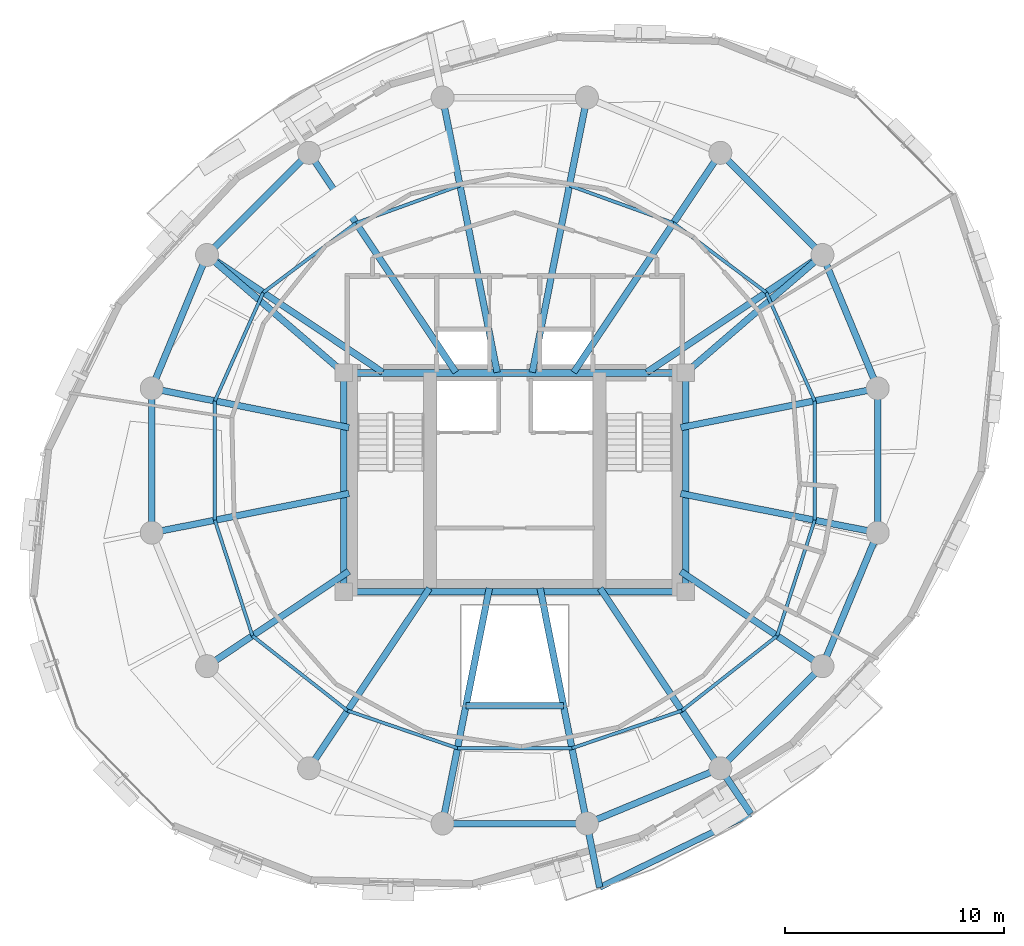
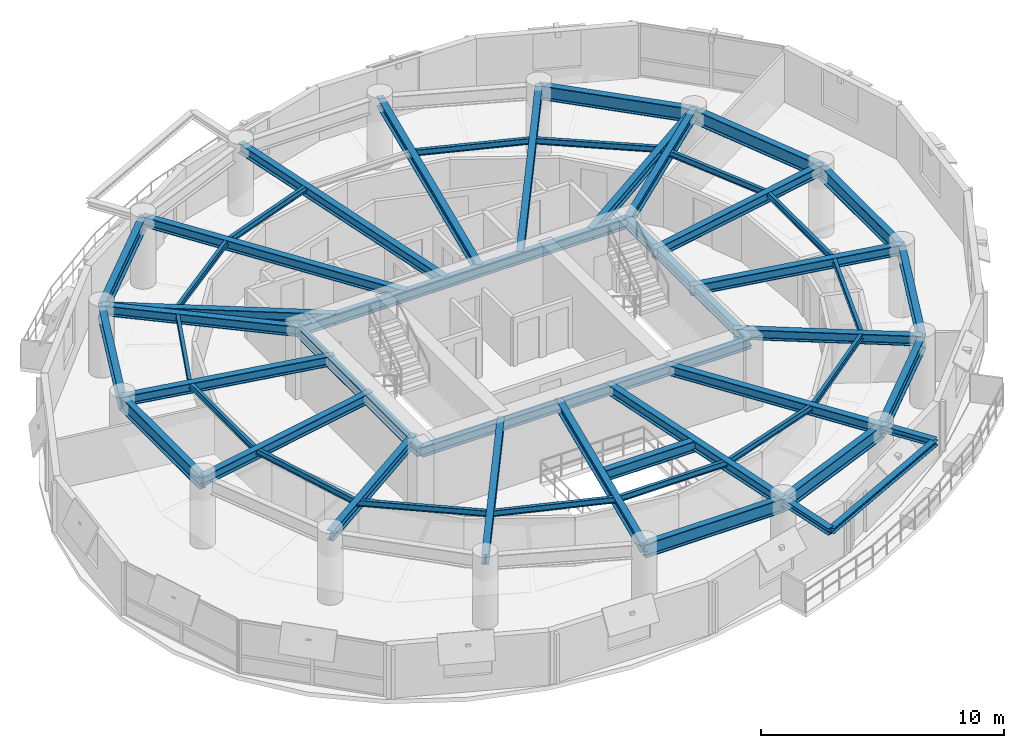
# One storey, part 5 of 15: 51 beams.
"""IFC4 building model written with IfcOpenShell, lengths in metres."""

import ifcopenshell
import ifcopenshell.guid

model = None  # the IFC model being written
_history = None  # IfcOwnerHistory: only IFC2X3 demands one
_inside = {}  # id of a spatial element -> (the spatial element, [elements in it])
_under = {}  # id of a project, library or spatial element -> (it, [spatial elements below it])
_declared = {}  # id of a project -> (the project, [libraries it declares])
_typed = {}  # id of a type object -> (the type object, [elements of that type])
_made_of = {}  # id of a material, layer set ... -> (it, [elements and type objects made of it])


def new_model(schema):
    """Start an empty IFC model of exactly this schema.

    Asked for "IFC4X3", IfcOpenShell would pick the latest addendum, in which some entities
    have other attributes; the version numbers below select the first issue.
    IFC2X3 requires an IfcOwnerHistory on every rooted entity: one is made here for all.
    """
    global model, _history
    if schema == "IFC4X3":
        model = ifcopenshell.file(schema_version=(4, 3, 0, 0))
    else:
        model = ifcopenshell.file(schema=schema)
    _inside.clear()
    _under.clear()
    _declared.clear()
    _typed.clear()
    _made_of.clear()
    _history = None
    if model.schema == "IFC2X3":
        org = make("IfcOrganization", Name="unknown")
        user = make(
            "IfcPersonAndOrganization",
            ThePerson=make("IfcPerson", FamilyName="unknown"),
            TheOrganization=org,
        )
        app = make(
            "IfcApplication",
            ApplicationDeveloper=org,
            Version="unknown",
            ApplicationFullName="unknown",
            ApplicationIdentifier="unknown",
        )
        _history = make(
            "IfcOwnerHistory",
            OwningUser=user,
            OwningApplication=app,
            ChangeAction="ADDED",
            CreationDate=0,
        )
    return model


def make(cls, **values):
    """One entity of the class cls with the attributes given. An attribute that is None is left unset."""
    return model.create_entity(
        cls, **{name: value for name, value in values.items() if value is not None}
    )


def rooted(cls, **values):
    """An entity with a GlobalId (a new one), such as an element, a storey or a relation."""
    return make(cls, GlobalId=ifcopenshell.guid.new(), OwnerHistory=_history, **values)


def si_unit(unit_type, name, prefix=None):
    """IfcSIUnit, for example si_unit("LENGTHUNIT", "METRE", prefix="MILLI")."""
    return make("IfcSIUnit", UnitType=unit_type, Prefix=prefix, Name=name)


def assignment(units):
    """IfcUnitAssignment: the units of a project."""
    return None if units is None else make("IfcUnitAssignment", Units=units)


def point(xyz):
    """IfcCartesianPoint."""
    return None if xyz is None else make("IfcCartesianPoint", Coordinates=xyz)


def direction(xyz):
    """IfcDirection."""
    return None if xyz is None else make("IfcDirection", DirectionRatios=xyz)


def frame(location, z_axis=None, x_axis=None):
    """IfcAxis2Placement3D, a coordinate frame: its origin and axes. An axis left out is left unset."""
    return make(
        "IfcAxis2Placement3D",
        Location=point(location),
        Axis=direction(z_axis),
        RefDirection=direction(x_axis),
    )


def frame_2d(location, x_axis=None):
    """IfcAxis2Placement2D, a coordinate frame in the plane: its origin and x axis."""
    return make(
        "IfcAxis2Placement2D", Location=point(location), RefDirection=direction(x_axis)
    )


def origin():
    """The frame at (0, 0, 0) with its axes left unset."""
    return frame((0.0, 0.0, 0.0))


def origin_2d():
    """The frame at (0, 0) in the plane with its x axis left unset."""
    return frame_2d((0.0, 0.0))


def place(relative_to, where):
    """IfcLocalPlacement: puts the frame where relative to a parent placement (None: the world)."""
    return make(
        "IfcLocalPlacement", PlacementRelTo=relative_to, RelativePlacement=where
    )


def context(
    kind, dimensions, precision=None, world=None, true_north=None, identifier=None
):
    """IfcGeometricRepresentationContext, for example the 3D "Model" context."""
    return make(
        "IfcGeometricRepresentationContext",
        ContextIdentifier=identifier,
        ContextType=kind,
        CoordinateSpaceDimension=dimensions,
        Precision=precision,
        WorldCoordinateSystem=world,
        TrueNorth=true_north,
    )


def subcontext(parent, identifier, kind, view, scale=None):
    """IfcGeometricRepresentationSubContext, for example "Body" below "Model"."""
    return make(
        "IfcGeometricRepresentationSubContext",
        ContextIdentifier=identifier,
        ContextType=kind,
        ParentContext=parent,
        TargetScale=scale,
        TargetView=view,
    )


def project(units=None, contexts=None):
    """IfcProject with its units and contexts."""
    return rooted(
        "IfcProject",
        Name="project",
        RepresentationContexts=contexts,
        UnitsInContext=assignment(units),
    )


def spatial(cls, under=None, at=None, **own):
    """A site, building, storey or space (cls), placed at a placement, below another one or the project."""
    s = rooted(cls, ObjectPlacement=at, **own)
    if under is not None:
        _under.setdefault(under.id(), (under, []))[1].append(s)
    return s


def profile(cls, at=None, kind="AREA", **sizes):
    """A parametric profile (cls). Its sizes go by their IFC names, for example OverallWidth=200.0."""
    return make(cls, ProfileType=kind, Position=at, **sizes)


def i_section(**sizes):
    """IfcIShapeProfileDef."""
    return profile("IfcIShapeProfileDef", **sizes)


def extrude(swept, where, along, depth):
    """IfcExtrudedAreaSolid: the profile swept, set in the frame where, extruded along a direction by depth."""
    return make(
        "IfcExtrudedAreaSolid",
        SweptArea=swept,
        Position=where,
        ExtrudedDirection=direction(along),
        Depth=depth,
    )


def shape(context_of_items, identifier, shape_type, items):
    """IfcShapeRepresentation: the items that make up one representation, for example the "Body"."""
    return make(
        "IfcShapeRepresentation",
        ContextOfItems=context_of_items,
        RepresentationIdentifier=identifier,
        RepresentationType=shape_type,
        Items=items,
    )


def material(Name=None, Category=None):
    """IfcMaterial."""
    return make("IfcMaterial", Name=Name, Category=Category)


def material_profile(
    of_material, cross_section, Name=None, Category=None, Priority=None
):
    """IfcMaterialProfile: a cross section and its material."""
    return make(
        "IfcMaterialProfile",
        Name=Name,
        Material=of_material,
        Profile=cross_section,
        Priority=Priority,
        Category=Category,
    )


def profile_set(profiles, Name=None, composite=None):
    """IfcMaterialProfileSet."""
    return make(
        "IfcMaterialProfileSet",
        Name=Name,
        MaterialProfiles=profiles,
        CompositeProfile=composite,
    )


def made_of(thing, what):
    """Note that an element or type object is made of a material, layer set ...; save() writes the relation."""
    if what is not None:
        _made_of.setdefault(what.id(), (what, []))[1].append(thing)
    return thing


def type_object(cls, material=None, **own):
    """A type object (cls), such as IfcWallType, which elements share."""
    return made_of(rooted(cls, **own), material)


def element(
    cls,
    number,
    at=None,
    inside=None,
    cuts=None,
    type_object=None,
    material=None,
    context=None,
    identifier="Body",
    shape_type=None,
    held_by="IfcProductDefinitionShape",
    body=None,
    shapes=None,
    **own,
):
    """One element of the class cls, such as IfcWall. Its Tag is "e" and its number.

    at: its placement. inside: the storey or other place that contains it. cuts: it is an
    opening in that element (IfcRelVoidsElement). A single representation is given by context,
    identifier, shape_type and body (its items); several are given by shapes. held_by: the class
    of the entity that holds the representations. save() writes the other relations.
    """
    e = rooted(cls, Tag="e%d" % number, ObjectPlacement=at, **own)
    if body is not None:
        shapes = [shape(context, identifier, shape_type, body)]
    if shapes is not None:
        e.Representation = make(held_by, Representations=shapes)
    if inside is not None:
        _inside.setdefault(inside.id(), (inside, []))[1].append(e)
    if cuts is not None:
        rooted(
            "IfcRelVoidsElement", RelatingBuildingElement=cuts, RelatedOpeningElement=e
        )
    if type_object is not None:
        _typed.setdefault(type_object.id(), (type_object, []))[1].append(e)
    return made_of(e, material)


def aggregate(whole, parts):
    """IfcRelAggregates: a whole, such as a stair, and the parts it consists of."""
    return rooted("IfcRelAggregates", RelatingObject=whole, RelatedObjects=parts)


def save(model, path):
    """Write the relations noted so far, then the file.

    IfcRelAggregates (storeys below a building ...), IfcRelContainedInSpatialStructure (elements
    in a storey), IfcRelDefinesByType, IfcRelAssociatesMaterial and IfcRelDeclares: one each for
    every whole, place, type object, material and project.
    """
    for whole, parts in _under.values():
        aggregate(whole, parts)
    for where, things in _inside.values():
        rooted(
            "IfcRelContainedInSpatialStructure",
            RelatedElements=things,
            RelatingStructure=where,
        )
    for kind, things in _typed.values():
        rooted("IfcRelDefinesByType", RelatedObjects=things, RelatingType=kind)
    for what, things in _made_of.values():
        rooted("IfcRelAssociatesMaterial", RelatedObjects=things, RelatingMaterial=what)
    for by, libraries in _declared.values():
        rooted("IfcRelDeclares", RelatingContext=by, RelatedDefinitions=libraries)
    model.write(path)


model = new_model("IFC4")

# Units and contexts
model_context = context("Model", 3, precision=1e-05, world=origin(), true_north=direction((0.0, 1.0)))
body_context = subcontext(model_context, "Body", "Model", "MODEL_VIEW")
ifc_project = project(units=[si_unit("LENGTHUNIT", "METRE"), si_unit("AREAUNIT", "SQUARE_METRE"), si_unit("VOLUMEUNIT", "CUBIC_METRE"), si_unit("PLANEANGLEUNIT", "RADIAN"), si_unit("MASSUNIT", "GRAM", prefix="KILO"), si_unit("THERMODYNAMICTEMPERATUREUNIT", "KELVIN"), si_unit("POWERUNIT", "WATT")], contexts=[model_context])

# Site, building, storey
site_placement = place(None, origin())
site = spatial("IfcSite", under=ifc_project, at=site_placement, CompositionType="ELEMENT")
building_placement = place(site_placement, origin())
building = spatial("IfcBuilding", under=site, at=building_placement, Name="Ocrelia Relay Tower", CompositionType="ELEMENT")
storey_placement = place(building_placement, frame((0.0, 0.0, 166.39990234375)))
storey = spatial("IfcBuildingStorey", under=building, at=storey_placement, Name="L39", CompositionType="ELEMENT", Elevation=166.39990234375)

# Beams
ifc_material = material(Name="Steel S355", Category="steel")
ifc_material_profile_1 = material_profile(ifc_material, i_section(OverallWidth=0.280029296875, OverallDepth=0.27001953125, WebThickness=0.008056640625, FlangeThickness=0.012939453125, FilletRadius=0.02392578125, at=origin_2d()), Name="HEA 280")
ifc_profile_set_1 = profile_set([ifc_material_profile_1], Name="Steel S355")
beam_type_1 = type_object("IfcBeamType", Name="BM-HEA280", PredefinedType="BEAM", material=ifc_profile_set_1)
beam_1_placement = place(storey_placement, frame((37.87744140625, 6.506591796875, 3.2451171875), z_axis=(0.89872350531, 0.438515747725, 0.0), x_axis=(-0.438515747725, 0.89872350531, 0.0)))
element("IfcBeam", 1, at=beam_1_placement, inside=storey, type_object=beam_type_1, Name="L40 Balcony Edge Trimmer Beam B2", PredefinedType="BEAM", context=body_context, shape_type="SweptSolid", body=[
    extrude(i_section(OverallWidth=0.280029296875, OverallDepth=0.27001953125, WebThickness=0.008056640625, FlangeThickness=0.012939453125, FilletRadius=0.02392578125, at=origin_2d()), origin(), (0.0, 0.0, 1.0), 7.67578125),
])
ifc_material_profile_2 = material_profile(ifc_material, i_section(OverallWidth=0.300048828125, OverallDepth=0.330078125, WebThickness=0.009521484375, FlangeThickness=0.0166015625, FilletRadius=0.027099609375, at=origin_2d()), Name="HEA 340")
ifc_profile_set_2 = profile_set([ifc_material_profile_2], Name="Steel S355")
beam_type_2 = type_object("IfcBeamType", Name="BM-HEA340", PredefinedType="BEAM", material=ifc_profile_set_2)
beam_2_placement = place(storey_placement, frame((37.297119140625, 9.4248046875, 3.215087890625), z_axis=(0.195043000341, -0.980794692083, 0.0), x_axis=(0.980794692083, 0.195043000341, 0.0)))
element("IfcBeam", 2, at=beam_2_placement, inside=storey, type_object=beam_type_2, Name="L40 Balcony Cantilever Beam B2-1", PredefinedType="BEAM", context=body_context, shape_type="SweptSolid", body=[
    extrude(i_section(OverallWidth=0.300048828125, OverallDepth=0.330078125, WebThickness=0.009521484375, FlangeThickness=0.0166015625, FilletRadius=0.027099609375, at=origin_2d()), origin(), (0.0, 0.0, 1.0), 2.975341796875),
])
beam_3_placement = place(storey_placement, frame((43.38916015625, 11.9482421875, 3.215087890625), z_axis=(0.555512436399, -0.831508227864, 0.0), x_axis=(0.831508227864, 0.555512436399, 0.0)))
element("IfcBeam", 3, at=beam_3_placement, inside=storey, type_object=beam_type_2, Name="L40 Balcony Cantilever Beam B2-2", PredefinedType="BEAM", context=body_context, shape_type="SweptSolid", body=[
    extrude(i_section(OverallWidth=0.300048828125, OverallDepth=0.330078125, WebThickness=0.009521484375, FlangeThickness=0.0166015625, FilletRadius=0.027099609375, at=origin_2d()), origin(), (0.0, 0.0, 1.0), 2.496337890625),
])
ifc_material_profile_3 = material_profile(ifc_material, i_section(OverallWidth=0.300048828125, OverallDepth=0.5, WebThickness=0.014404296875, FlangeThickness=0.028076171875, FilletRadius=0.027099609375, at=origin_2d()), Name="HEB 500")
ifc_profile_set_3 = profile_set([ifc_material_profile_3], Name="Steel S355")
beam_type_3 = type_object("IfcBeamType", Name="BM-HEB500", PredefinedType="BEAM", material=ifc_profile_set_3)
for number, where, z_axis, x_axis, name in (
    (4, (26.199951171875, 20.0, 3.130126953125), (1.0, 0.0, 0.0), (0.0, 1.0, 0.0), "L39 Core Pilaster Tie Beam S"),
    (5, (26.199951171875, 30.0, 3.130126953125), (1.0, 0.0, 0.0), (0.0, 1.0, 0.0), "L39 Core Pilaster Tie Beam N"),
):
    element("IfcBeam", number, at=place(storey_placement, frame(where, z_axis=z_axis, x_axis=x_axis)), inside=storey, type_object=beam_type_3, Name=name, PredefinedType="BEAM", context=body_context, shape_type="SweptSolid", body=[
        extrude(i_section(OverallWidth=0.300048828125, OverallDepth=0.5, WebThickness=0.014404296875, FlangeThickness=0.028076171875, FilletRadius=0.027099609375, at=origin_2d()), origin(), (0.0, 0.0, 1.0), 15.60009765625),
    ])
for number, where, z_axis, x_axis, name in (
    (6, (26.199951171875, 20.0, 3.130126953125), (0.0, 1.0, 0.0), (-1.0, 0.0, 0.0), "L39 Core Pilaster Tie Beam W"),
    (7, (41.800048828125, 20.0, 3.130126953125), (0.0, 1.0, 0.0), (-1.0, 0.0, 0.0), "L39 Core Pilaster Tie Beam E"),
):
    element("IfcBeam", number, at=place(storey_placement, frame(where, z_axis=z_axis, x_axis=x_axis)), inside=storey, type_object=beam_type_3, Name=name, PredefinedType="BEAM", context=body_context, shape_type="SweptSolid", body=[
        extrude(i_section(OverallWidth=0.300048828125, OverallDepth=0.5, WebThickness=0.014404296875, FlangeThickness=0.028076171875, FilletRadius=0.027099609375, at=origin_2d()), origin(), (0.0, 0.0, 1.0), 10.0),
    ])
beam_4_placement = place(storey_placement, frame((50.5751953125, 29.297119140625, 3.130126953125), z_axis=(-0.980783891197, -0.1950973059, 0.0), x_axis=(0.1950973059, -0.980783891197, 0.0)))
element("IfcBeam", 8, at=beam_4_placement, inside=storey, type_object=beam_type_3, Name="L39 Radial Floor Girder R01", PredefinedType="BEAM", context=body_context, shape_type="SweptSolid", body=[
    extrude(i_section(OverallWidth=0.300048828125, OverallDepth=0.5, WebThickness=0.014404296875, FlangeThickness=0.028076171875, FilletRadius=0.027099609375, at=origin_2d()), origin(), (0.0, 0.0, 1.0), 9.17138671875),
])
beam_5_placement = place(storey_placement, frame((48.0517578125, 35.38916015625, 3.130126953125), z_axis=(-0.831469666235, -0.555570152305, 0.0), x_axis=(0.555570152305, -0.831469666235, 0.0)))
element("IfcBeam", 9, at=beam_5_placement, inside=storey, type_object=beam_type_3, Name="L39 Radial Floor Girder R02", PredefinedType="BEAM", context=body_context, shape_type="SweptSolid", body=[
    extrude(i_section(OverallWidth=0.300048828125, OverallDepth=0.5, WebThickness=0.014404296875, FlangeThickness=0.028076171875, FilletRadius=0.027099609375, at=origin_2d()), origin(), (0.0, 0.0, 1.0), 9.646240234375),
])
beam_6_placement = place(storey_placement, frame((48.0517578125, 35.38916015625, 3.130126953125), z_axis=(-0.757424589403, -0.652922653434, 0.0), x_axis=(0.652922653434, -0.757424589403, 0.0)))
element("IfcBeam", 10, at=beam_6_placement, inside=storey, type_object=beam_type_3, Name="L39 Core Pilaster Frame Tie Beam PT02", PredefinedType="BEAM", context=body_context, shape_type="SweptSolid", body=[
    extrude(i_section(OverallWidth=0.300048828125, OverallDepth=0.5, WebThickness=0.014404296875, FlangeThickness=0.028076171875, FilletRadius=0.027099609375, at=origin_2d()), origin(), (0.0, 0.0, 1.0), 8.25390625),
])
beam_7_placement = place(storey_placement, frame((43.38916015625, 40.0517578125, 3.130126953125), z_axis=(-0.55556932408, -0.831470219636, 0.0), x_axis=(0.831470219636, -0.55556932408, 0.0)))
element("IfcBeam", 11, at=beam_7_placement, inside=storey, type_object=beam_type_3, Name="L39 Radial Floor Girder R03", PredefinedType="BEAM", context=body_context, shape_type="SweptSolid", body=[
    extrude(i_section(OverallWidth=0.300048828125, OverallDepth=0.5, WebThickness=0.014404296875, FlangeThickness=0.028076171875, FilletRadius=0.027099609375, at=origin_2d()), origin(), (0.0, 0.0, 1.0), 12.052978515625),
])
for number, where, z_axis, x_axis, name in (
    (12, (37.297119140625, 42.5751953125, 3.130126953125), (-0.195106626135, -0.980782037171, 0.0), (0.980782037171, -0.195106626135, 0.0), "L39 Radial Floor Girder R04"),
    (13, (30.702880859375, 42.5751953125, 3.130126953125), (0.195106626135, -0.980782037171, 0.0), (0.980782037171, 0.195106626135, 0.0), "L39 Radial Floor Girder R05"),
):
    element("IfcBeam", number, at=place(storey_placement, frame(where, z_axis=z_axis, x_axis=x_axis)), inside=storey, type_object=beam_type_3, Name=name, PredefinedType="BEAM", context=body_context, shape_type="SweptSolid", body=[
        extrude(i_section(OverallWidth=0.300048828125, OverallDepth=0.5, WebThickness=0.014404296875, FlangeThickness=0.028076171875, FilletRadius=0.027099609375, at=origin_2d()), origin(), (0.0, 0.0, 1.0), 12.791015625),
    ])
beam_8_placement = place(storey_placement, frame((24.61083984375, 40.0517578125, 3.130126953125), z_axis=(0.55556932408, -0.831470219636, 0.0), x_axis=(0.831470219636, 0.55556932408, 0.0)))
element("IfcBeam", 14, at=beam_8_placement, inside=storey, type_object=beam_type_3, Name="L39 Radial Floor Girder R06", PredefinedType="BEAM", context=body_context, shape_type="SweptSolid", body=[
    extrude(i_section(OverallWidth=0.300048828125, OverallDepth=0.5, WebThickness=0.014404296875, FlangeThickness=0.028076171875, FilletRadius=0.027099609375, at=origin_2d()), origin(), (0.0, 0.0, 1.0), 12.052978515625),
])
beam_9_placement = place(storey_placement, frame((19.9482421875, 35.38916015625, 3.130126953125), z_axis=(0.831469666235, -0.555570152305, 0.0), x_axis=(0.555570152305, 0.831469666235, 0.0)))
element("IfcBeam", 15, at=beam_9_placement, inside=storey, type_object=beam_type_3, Name="L39 Radial Floor Girder R07", PredefinedType="BEAM", context=body_context, shape_type="SweptSolid", body=[
    extrude(i_section(OverallWidth=0.300048828125, OverallDepth=0.5, WebThickness=0.014404296875, FlangeThickness=0.028076171875, FilletRadius=0.027099609375, at=origin_2d()), origin(), (0.0, 0.0, 1.0), 9.646240234375),
])
beam_10_placement = place(storey_placement, frame((19.9482421875, 35.38916015625, 3.130126953125), z_axis=(0.757424589403, -0.652922653434, 0.0), x_axis=(0.652922653434, 0.757424589403, 0.0)))
element("IfcBeam", 16, at=beam_10_placement, inside=storey, type_object=beam_type_3, Name="L39 Core Pilaster Frame Tie Beam PT07", PredefinedType="BEAM", context=body_context, shape_type="SweptSolid", body=[
    extrude(i_section(OverallWidth=0.300048828125, OverallDepth=0.5, WebThickness=0.014404296875, FlangeThickness=0.028076171875, FilletRadius=0.027099609375, at=origin_2d()), origin(), (0.0, 0.0, 1.0), 8.25390625),
])
for number, where, z_axis, x_axis, name in (
    (17, (17.4248046875, 29.297119140625, 3.130126953125), (0.980784683446, -0.195093323097, 0.0), (0.195093323097, 0.980784683446, 0.0), "L39 Radial Floor Girder R08"),
    (18, (17.4248046875, 22.702880859375, 3.130126953125), (0.980784683446, 0.195093323097, 0.0), (-0.195093323097, 0.980784683446, 0.0), "L39 Radial Floor Girder R09"),
):
    element("IfcBeam", number, at=place(storey_placement, frame(where, z_axis=z_axis, x_axis=x_axis)), inside=storey, type_object=beam_type_3, Name=name, PredefinedType="BEAM", context=body_context, shape_type="SweptSolid", body=[
        extrude(i_section(OverallWidth=0.300048828125, OverallDepth=0.5, WebThickness=0.014404296875, FlangeThickness=0.028076171875, FilletRadius=0.027099609375, at=origin_2d()), origin(), (0.0, 0.0, 1.0), 9.181640625),
    ])
beam_11_placement = place(storey_placement, frame((19.9482421875, 16.61083984375, 3.130126953125), z_axis=(0.831462012084, 0.555581607382, 0.0), x_axis=(-0.555581607382, 0.831462012084, 0.0)))
element("IfcBeam", 19, at=beam_11_placement, inside=storey, type_object=beam_type_3, Name="L39 Radial Floor Girder R10", PredefinedType="BEAM", context=body_context, shape_type="SweptSolid", body=[
    extrude(i_section(OverallWidth=0.300048828125, OverallDepth=0.5, WebThickness=0.014404296875, FlangeThickness=0.028076171875, FilletRadius=0.027099609375, at=origin_2d()), origin(), (0.0, 0.0, 1.0), 7.795654296875),
])
beam_12_placement = place(storey_placement, frame((24.61083984375, 11.9482421875, 3.130126953125), z_axis=(0.555577337069, 0.831464865485, 0.0), x_axis=(-0.831464865485, 0.555577337069, 0.0)))
element("IfcBeam", 20, at=beam_12_placement, inside=storey, type_object=beam_type_3, Name="L39 Radial Floor Girder R11", PredefinedType="BEAM", context=body_context, shape_type="SweptSolid", body=[
    extrude(i_section(OverallWidth=0.300048828125, OverallDepth=0.5, WebThickness=0.014404296875, FlangeThickness=0.028076171875, FilletRadius=0.027099609375, at=origin_2d()), origin(), (0.0, 0.0, 1.0), 9.88818359375),
])
for number, where, z_axis, x_axis, name in (
    (21, (30.702880859375, 9.4248046875, 3.130126953125), (0.195100373206, 0.980783281044, 0.0), (-0.980783281044, 0.195100373206, 0.0), "L39 Radial Floor Girder R12"),
    (22, (37.297119140625, 9.4248046875, 3.130126953125), (-0.195100373206, 0.980783281044, 0.0), (-0.980783281044, -0.195100373206, 0.0), "L39 Radial Floor Girder R13"),
):
    element("IfcBeam", number, at=place(storey_placement, frame(where, z_axis=z_axis, x_axis=x_axis)), inside=storey, type_object=beam_type_3, Name=name, PredefinedType="BEAM", context=body_context, shape_type="SweptSolid", body=[
        extrude(i_section(OverallWidth=0.300048828125, OverallDepth=0.5, WebThickness=0.014404296875, FlangeThickness=0.028076171875, FilletRadius=0.027099609375, at=origin_2d()), origin(), (0.0, 0.0, 1.0), 10.95556640625),
    ])
beam_13_placement = place(storey_placement, frame((43.38916015625, 11.9482421875, 3.130126953125), z_axis=(-0.555577337069, 0.831464865485, 0.0), x_axis=(-0.831464865485, -0.555577337069, 0.0)))
element("IfcBeam", 23, at=beam_13_placement, inside=storey, type_object=beam_type_3, Name="L39 Radial Floor Girder R14", PredefinedType="BEAM", context=body_context, shape_type="SweptSolid", body=[
    extrude(i_section(OverallWidth=0.300048828125, OverallDepth=0.5, WebThickness=0.014404296875, FlangeThickness=0.028076171875, FilletRadius=0.027099609375, at=origin_2d()), origin(), (0.0, 0.0, 1.0), 9.88818359375),
])
beam_14_placement = place(storey_placement, frame((48.0517578125, 16.61083984375, 3.130126953125), z_axis=(-0.831456272244, 0.555590197309, 0.0), x_axis=(-0.555590197309, -0.831456272244, 0.0)))
element("IfcBeam", 24, at=beam_14_placement, inside=storey, type_object=beam_type_3, Name="L39 Radial Floor Girder R15", PredefinedType="BEAM", context=body_context, shape_type="SweptSolid", body=[
    extrude(i_section(OverallWidth=0.300048828125, OverallDepth=0.5, WebThickness=0.014404296875, FlangeThickness=0.028076171875, FilletRadius=0.027099609375, at=origin_2d()), origin(), (0.0, 0.0, 1.0), 7.783447265625),
])
beam_15_placement = place(storey_placement, frame((50.5751953125, 22.702880859375, 3.130126953125), z_axis=(-0.980783891197, 0.1950973059, 0.0), x_axis=(-0.1950973059, -0.980783891197, 0.0)))
element("IfcBeam", 25, at=beam_15_placement, inside=storey, type_object=beam_type_3, Name="L39 Radial Floor Girder R16", PredefinedType="BEAM", context=body_context, shape_type="SweptSolid", body=[
    extrude(i_section(OverallWidth=0.300048828125, OverallDepth=0.5, WebThickness=0.014404296875, FlangeThickness=0.028076171875, FilletRadius=0.027099609375, at=origin_2d()), origin(), (0.0, 0.0, 1.0), 9.17138671875),
])
ifc_material_profile_4 = material_profile(ifc_material, i_section(OverallWidth=0.300048828125, OverallDepth=0.550048828125, WebThickness=0.014892578125, FlangeThickness=0.029052734375, FilletRadius=0.027099609375, at=origin_2d()), Name="HEB 550")
ifc_profile_set_4 = profile_set([ifc_material_profile_4], Name="Steel S355")
beam_type_4 = type_object("IfcBeamType", Name="BM-HEB550", PredefinedType="BEAM", material=ifc_profile_set_4)
beam_16_placement = place(storey_placement, frame((31.772216796875, 14.800048828125, 3.10498046875), z_axis=(1.0, 0.0, 0.0), x_axis=(0.0, 1.0, 0.0)))
element("IfcBeam", 26, at=beam_16_placement, inside=storey, type_object=beam_type_4, Name="L39 Atrium South Trimmer Beam", PredefinedType="BEAM", context=body_context, shape_type="SweptSolid", body=[
    extrude(i_section(OverallWidth=0.300048828125, OverallDepth=0.550048828125, WebThickness=0.014892578125, FlangeThickness=0.029052734375, FilletRadius=0.027099609375, at=origin_2d()), origin(), (0.0, 0.0, 1.0), 4.45556640625),
])
ifc_material_profile_5 = material_profile(ifc_material, i_section(OverallWidth=0.300048828125, OverallDepth=0.699951171875, WebThickness=0.01708984375, FlangeThickness=0.031982421875, FilletRadius=0.027099609375, at=origin_2d()), Name="HEB 700")
ifc_profile_set_5 = profile_set([ifc_material_profile_5], Name="Steel S355")
beam_type_5 = type_object("IfcBeamType", Name="BM-HEB700", PredefinedType="BEAM", material=ifc_profile_set_5)
for number, where, z_axis, x_axis, name in (
    (27, (50.5751953125, 29.297119140625, 3.030029296875), (-0.382687508402, 0.923877844151, 0.0), (-0.923877844151, -0.382687508402, 0.0), "L39 Perimeter Spandrel Beam S01"),
    (28, (48.0517578125, 35.38916015625, 3.030029296875), (-0.707106781187, 0.707106781187, 0.0), (-0.707106781187, -0.707106781187, 0.0), "L39 Perimeter Spandrel Beam S02"),
    (29, (24.61083984375, 40.0517578125, 3.030029296875), (-0.707106781187, -0.707106781187, 0.0), (0.707106781187, -0.707106781187, 0.0), "L39 Perimeter Spandrel Beam S06"),
    (30, (19.9482421875, 35.38916015625, 3.030029296875), (-0.382687508402, -0.923877844151, 0.0), (0.923877844151, -0.382687508402, 0.0), "L39 Perimeter Spandrel Beam S07"),
):
    element("IfcBeam", number, at=place(storey_placement, frame(where, z_axis=z_axis, x_axis=x_axis)), inside=storey, type_object=beam_type_5, Name=name, PredefinedType="BEAM", context=body_context, shape_type="SweptSolid", body=[
        extrude(i_section(OverallWidth=0.300048828125, OverallDepth=0.699951171875, WebThickness=0.01708984375, FlangeThickness=0.031982421875, FilletRadius=0.027099609375, at=origin_2d()), origin(), (0.0, 0.0, 1.0), 6.593994140625),
    ])
for number, where, z_axis, x_axis, name in (
    (31, (17.4248046875, 29.297119140625, 3.030029296875), (0.0, -1.0, 0.0), (1.0, 0.0, 0.0), "L39 Perimeter Spandrel Beam S08"),
    (32, (30.702880859375, 9.4248046875, 3.030029296875), (1.0, 0.0, 0.0), (0.0, 1.0, 0.0), "L39 Perimeter Spandrel Beam S12"),
):
    element("IfcBeam", number, at=place(storey_placement, frame(where, z_axis=z_axis, x_axis=x_axis)), inside=storey, type_object=beam_type_5, Name=name, PredefinedType="BEAM", context=body_context, shape_type="SweptSolid", body=[
        extrude(i_section(OverallWidth=0.300048828125, OverallDepth=0.699951171875, WebThickness=0.01708984375, FlangeThickness=0.031982421875, FilletRadius=0.027099609375, at=origin_2d()), origin(), (0.0, 0.0, 1.0), 6.59423828125),
    ])
for number, where, z_axis, x_axis, name in (
    (33, (37.297119140625, 9.4248046875, 3.030029296875), (0.923877844151, 0.382687508402, 0.0), (-0.382687508402, 0.923877844151, 0.0), "L39 Perimeter Spandrel Beam S13"),
    (34, (43.38916015625, 11.9482421875, 3.030029296875), (0.707106781187, 0.707106781187, 0.0), (-0.707106781187, 0.707106781187, 0.0), "L39 Perimeter Spandrel Beam S14"),
    (35, (48.0517578125, 16.61083984375, 3.030029296875), (0.382687508402, 0.923877844151, 0.0), (-0.923877844151, 0.382687508402, 0.0), "L39 Perimeter Spandrel Beam S15"),
):
    element("IfcBeam", number, at=place(storey_placement, frame(where, z_axis=z_axis, x_axis=x_axis)), inside=storey, type_object=beam_type_5, Name=name, PredefinedType="BEAM", context=body_context, shape_type="SweptSolid", body=[
        extrude(i_section(OverallWidth=0.300048828125, OverallDepth=0.699951171875, WebThickness=0.01708984375, FlangeThickness=0.031982421875, FilletRadius=0.027099609375, at=origin_2d()), origin(), (0.0, 0.0, 1.0), 6.593994140625),
    ])
beam_17_placement = place(storey_placement, frame((50.5751953125, 22.702880859375, 3.030029296875), z_axis=(0.0, 1.0, 0.0), x_axis=(-1.0, 0.0, 0.0)))
element("IfcBeam", 36, at=beam_17_placement, inside=storey, type_object=beam_type_5, Name="L39 Perimeter Spandrel Beam S16", PredefinedType="BEAM", context=body_context, shape_type="SweptSolid", body=[
    extrude(i_section(OverallWidth=0.300048828125, OverallDepth=0.699951171875, WebThickness=0.01708984375, FlangeThickness=0.031982421875, FilletRadius=0.027099609375, at=origin_2d()), origin(), (0.0, 0.0, 1.0), 6.59423828125),
])
ifc_material_profile_6 = material_profile(ifc_material, i_section(OverallWidth=0.14990234375, OverallDepth=0.300048828125, WebThickness=0.007080078125, FlangeThickness=0.0107421875, FilletRadius=0.014892578125, at=origin_2d()), Name="IPE 300")
ifc_profile_set_6 = profile_set([ifc_material_profile_6], Name="Steel S355")
beam_type_6 = type_object("IfcBeamType", Name="BM-IPE300", PredefinedType="JOIST", material=ifc_profile_set_6)
beam_18_placement = place(storey_placement, frame((47.69677734375, 28.724365234375, 3.22998046875), z_axis=(-0.407938464853, 0.913009424318, 0.0), x_axis=(-0.913009424318, -0.407938464853, 0.0)))
element("IfcBeam", 37, at=beam_18_placement, inside=storey, type_object=beam_type_6, Name="L39 Secondary Floor Joist J01", PredefinedType="JOIST", context=body_context, shape_type="SweptSolid", body=[
    extrude(i_section(OverallWidth=0.14990234375, OverallDepth=0.300048828125, WebThickness=0.007080078125, FlangeThickness=0.0107421875, FilletRadius=0.014892578125, at=origin_2d()), origin(), (0.0, 0.0, 1.0), 5.421630859375),
])
beam_19_placement = place(storey_placement, frame((45.485107421875, 33.67431640625, 3.22998046875), z_axis=(-0.800785247359, 0.598951573678, 0.0), x_axis=(-0.598951573678, -0.800785247359, 0.0)))
element("IfcBeam", 38, at=beam_19_placement, inside=storey, type_object=beam_type_6, Name="L39 Secondary Floor Joist J02", PredefinedType="JOIST", context=body_context, shape_type="SweptSolid", body=[
    extrude(i_section(OverallWidth=0.14990234375, OverallDepth=0.300048828125, WebThickness=0.007080078125, FlangeThickness=0.0107421875, FilletRadius=0.014892578125, at=origin_2d()), origin(), (0.0, 0.0, 1.0), 5.293212890625),
])
for number, where, z_axis, x_axis, name in (
    (39, (41.246337890625, 36.8447265625, 3.22998046875), (-0.940453871246, 0.339921338046, 0.0), (-0.339921338046, -0.940453871246, 0.0), "L39 Secondary Floor Joist J03"),
    (40, (31.50146484375, 38.560791015625, 3.22998046875), (-0.940453871246, -0.339921338046, 0.0), (0.339921338046, -0.940453871246, 0.0), "L39 Secondary Floor Joist J05"),
):
    element("IfcBeam", number, at=place(storey_placement, frame(where, z_axis=z_axis, x_axis=x_axis)), inside=storey, type_object=beam_type_6, Name=name, PredefinedType="JOIST", context=body_context, shape_type="SweptSolid", body=[
        extrude(i_section(OverallWidth=0.14990234375, OverallDepth=0.300048828125, WebThickness=0.007080078125, FlangeThickness=0.0107421875, FilletRadius=0.014892578125, at=origin_2d()), origin(), (0.0, 0.0, 1.0), 5.04833984375),
    ])
beam_20_placement = place(storey_placement, frame((26.753662109375, 36.8447265625, 3.22998046875), z_axis=(-0.800785247359, -0.598951573678, 0.0), x_axis=(0.598951573678, -0.800785247359, 0.0)))
element("IfcBeam", 41, at=beam_20_placement, inside=storey, type_object=beam_type_6, Name="L39 Secondary Floor Joist J06", PredefinedType="JOIST", context=body_context, shape_type="SweptSolid", body=[
    extrude(i_section(OverallWidth=0.14990234375, OverallDepth=0.300048828125, WebThickness=0.007080078125, FlangeThickness=0.0107421875, FilletRadius=0.014892578125, at=origin_2d()), origin(), (0.0, 0.0, 1.0), 5.293212890625),
])
beam_21_placement = place(storey_placement, frame((22.514892578125, 33.67431640625, 3.22998046875), z_axis=(-0.407416785709, -0.913242335157, 0.0), x_axis=(0.913242335157, -0.407416785709, 0.0)))
element("IfcBeam", 42, at=beam_21_placement, inside=storey, type_object=beam_type_6, Name="L39 Secondary Floor Joist J07", PredefinedType="JOIST", context=body_context, shape_type="SweptSolid", body=[
    extrude(i_section(OverallWidth=0.14990234375, OverallDepth=0.300048828125, WebThickness=0.007080078125, FlangeThickness=0.0107421875, FilletRadius=0.014892578125, at=origin_2d()), origin(), (0.0, 0.0, 1.0), 5.420654296875),
])
beam_22_placement = place(storey_placement, frame((20.306396484375, 28.723876953125, 3.22998046875), z_axis=(0.0, -1.0, 0.0), x_axis=(1.0, 0.0, 0.0)))
element("IfcBeam", 43, at=beam_22_placement, inside=storey, type_object=beam_type_6, Name="L39 Secondary Floor Joist J08", PredefinedType="JOIST", context=body_context, shape_type="SweptSolid", body=[
    extrude(i_section(OverallWidth=0.14990234375, OverallDepth=0.300048828125, WebThickness=0.007080078125, FlangeThickness=0.0107421875, FilletRadius=0.014892578125, at=origin_2d()), origin(), (0.0, 0.0, 1.0), 5.44775390625),
])
beam_23_placement = place(storey_placement, frame((20.306396484375, 23.276123046875, 3.22998046875), z_axis=(0.309133805786, -0.951018554036, 0.0), x_axis=(0.951018554036, 0.309133805786, 0.0)))
element("IfcBeam", 44, at=beam_23_placement, inside=storey, type_object=beam_type_6, Name="L39 Secondary Floor Joist J09", PredefinedType="JOIST", context=body_context, shape_type="SweptSolid", body=[
    extrude(i_section(OverallWidth=0.14990234375, OverallDepth=0.300048828125, WebThickness=0.007080078125, FlangeThickness=0.0107421875, FilletRadius=0.014892578125, at=origin_2d()), origin(), (0.0, 0.0, 1.0), 5.55126953125),
])
beam_24_placement = place(storey_placement, frame((22.0224609375, 17.996826171875, 3.22998046875), z_axis=(0.786083859045, -0.618119864224, 0.0), x_axis=(0.618119864224, 0.786083859045, 0.0)))
element("IfcBeam", 45, at=beam_24_placement, inside=storey, type_object=beam_type_6, Name="L39 Secondary Floor Joist J10", PredefinedType="JOIST", context=body_context, shape_type="SweptSolid", body=[
    extrude(i_section(OverallWidth=0.14990234375, OverallDepth=0.300048828125, WebThickness=0.007080078125, FlangeThickness=0.0107421875, FilletRadius=0.014892578125, at=origin_2d()), origin(), (0.0, 0.0, 1.0), 5.529296875),
])
beam_25_placement = place(storey_placement, frame((26.368896484375, 14.5791015625, 3.22998046875), z_axis=(0.946215174492, -0.323538009454, 0.0), x_axis=(0.323538009454, 0.946215174492, 0.0)))
element("IfcBeam", 46, at=beam_25_placement, inside=storey, type_object=beam_type_6, Name="L39 Secondary Floor Joist J11", PredefinedType="JOIST", context=body_context, shape_type="SweptSolid", body=[
    extrude(i_section(OverallWidth=0.14990234375, OverallDepth=0.300048828125, WebThickness=0.007080078125, FlangeThickness=0.0107421875, FilletRadius=0.014892578125, at=origin_2d()), origin(), (0.0, 0.0, 1.0), 5.30322265625),
])
beam_26_placement = place(storey_placement, frame((31.386962890625, 12.86328125, 3.22998046875), z_axis=(1.0, 0.0, 0.0), x_axis=(0.0, 1.0, 0.0)))
element("IfcBeam", 47, at=beam_26_placement, inside=storey, type_object=beam_type_6, Name="L39 Secondary Floor Joist J12", PredefinedType="JOIST", context=body_context, shape_type="SweptSolid", body=[
    extrude(i_section(OverallWidth=0.14990234375, OverallDepth=0.300048828125, WebThickness=0.007080078125, FlangeThickness=0.0107421875, FilletRadius=0.014892578125, at=origin_2d()), origin(), (0.0, 0.0, 1.0), 5.22607421875),
])
beam_27_placement = place(storey_placement, frame((36.613037109375, 12.86328125, 3.22998046875), z_axis=(0.946215174492, 0.323538009454, 0.0), x_axis=(-0.323538009454, 0.946215174492, 0.0)))
element("IfcBeam", 48, at=beam_27_placement, inside=storey, type_object=beam_type_6, Name="L39 Secondary Floor Joist J13", PredefinedType="JOIST", context=body_context, shape_type="SweptSolid", body=[
    extrude(i_section(OverallWidth=0.14990234375, OverallDepth=0.300048828125, WebThickness=0.007080078125, FlangeThickness=0.0107421875, FilletRadius=0.014892578125, at=origin_2d()), origin(), (0.0, 0.0, 1.0), 5.30322265625),
])
beam_28_placement = place(storey_placement, frame((41.631103515625, 14.5791015625, 3.22998046875), z_axis=(0.78649600233, 0.617595367793, 0.0), x_axis=(-0.617595367793, 0.78649600233, 0.0)))
element("IfcBeam", 49, at=beam_28_placement, inside=storey, type_object=beam_type_6, Name="L39 Secondary Floor Joist J14", PredefinedType="JOIST", context=body_context, shape_type="SweptSolid", body=[
    extrude(i_section(OverallWidth=0.14990234375, OverallDepth=0.300048828125, WebThickness=0.007080078125, FlangeThickness=0.0107421875, FilletRadius=0.014892578125, at=origin_2d()), origin(), (0.0, 0.0, 1.0), 5.5302734375),
])
beam_29_placement = place(storey_placement, frame((45.980712890625, 17.99462890625, 3.22998046875), z_axis=(0.309043322978, 0.95104796121, 0.0), x_axis=(-0.95104796121, 0.309043322978, 0.0)))
element("IfcBeam", 50, at=beam_29_placement, inside=storey, type_object=beam_type_6, Name="L39 Secondary Floor Joist J15", PredefinedType="JOIST", context=body_context, shape_type="SweptSolid", body=[
    extrude(i_section(OverallWidth=0.14990234375, OverallDepth=0.300048828125, WebThickness=0.007080078125, FlangeThickness=0.0107421875, FilletRadius=0.014892578125, at=origin_2d()), origin(), (0.0, 0.0, 1.0), 5.552734375),
])
beam_30_placement = place(storey_placement, frame((47.69677734375, 23.275634765625, 3.22998046875), z_axis=(0.0, 1.0, 0.0), x_axis=(-1.0, 0.0, 0.0)))
element("IfcBeam", 51, at=beam_30_placement, inside=storey, type_object=beam_type_6, Name="L39 Secondary Floor Joist J16", PredefinedType="JOIST", context=body_context, shape_type="SweptSolid", body=[
    extrude(i_section(OverallWidth=0.14990234375, OverallDepth=0.300048828125, WebThickness=0.007080078125, FlangeThickness=0.0107421875, FilletRadius=0.014892578125, at=origin_2d()), origin(), (0.0, 0.0, 1.0), 5.44873046875),
])

save(model, "model.ifc")
